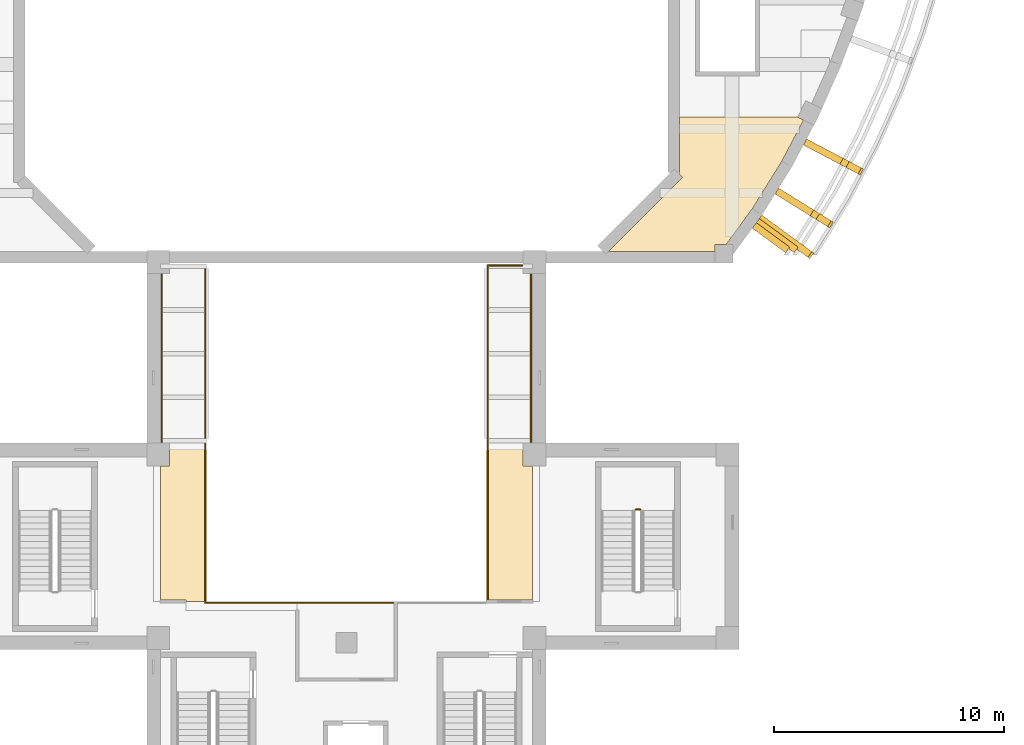
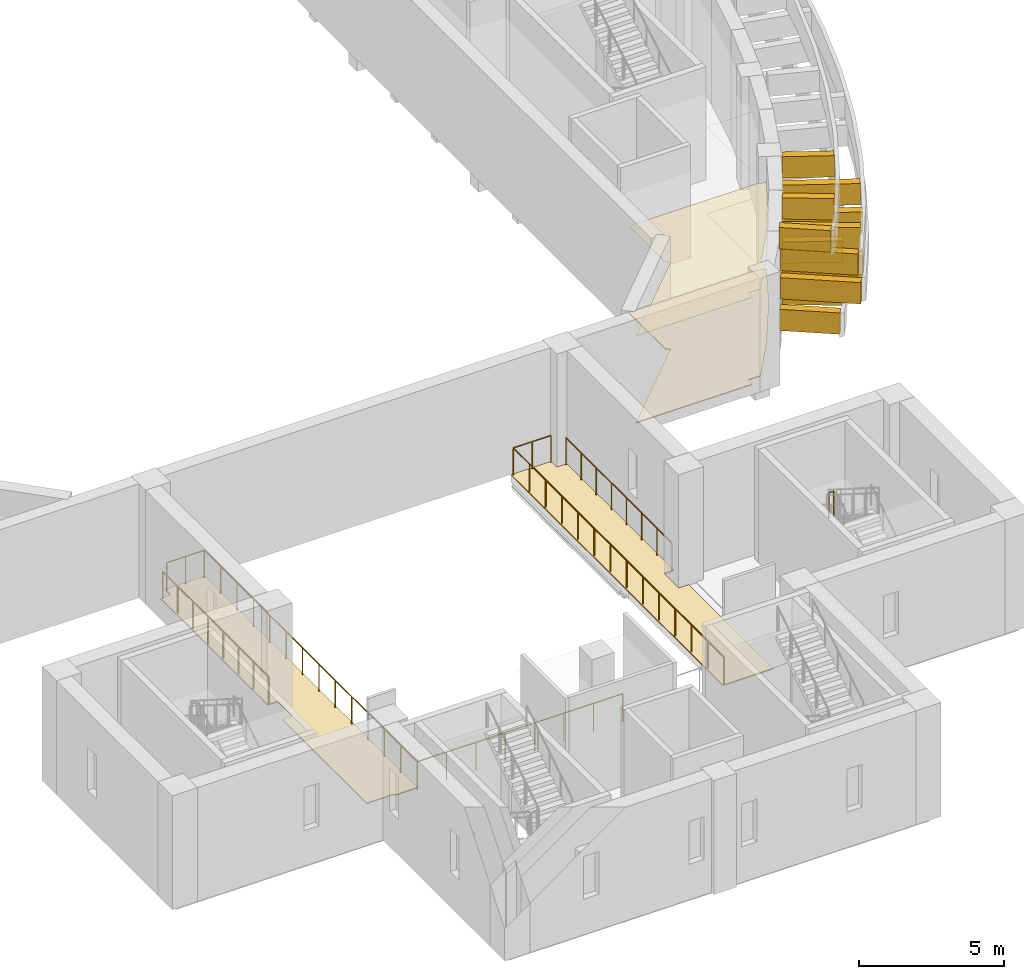
# One storey, part 23 of 37: 16 coverings, 5 railings.
"""IFC4 building model written with IfcOpenShell, lengths in metres."""

from ifc_helpers import new_model, si_unit, direction, frame, origin, origin_2d, place, context, subcontext, project, spatial, polyline, rectangle, circle, outline, extrude, material, layer, layer_set, type_object, element, save


model = new_model("IFC4")

# Units and contexts
model_context = context("Model", 3, precision=1e-05, world=origin(), true_north=direction((0.0, 1.0)))
body_context = subcontext(model_context, "Body", "Model", "MODEL_VIEW")
ifc_project = project(units=[si_unit("LENGTHUNIT", "METRE"), si_unit("AREAUNIT", "SQUARE_METRE"), si_unit("VOLUMEUNIT", "CUBIC_METRE"), si_unit("PLANEANGLEUNIT", "RADIAN"), si_unit("MASSUNIT", "GRAM", prefix="KILO")], contexts=[model_context])

# Site, building, storey
site_placement = place(None, origin())
site = spatial("IfcSite", under=ifc_project, at=site_placement, CompositionType="ELEMENT")
building_placement = place(site_placement, origin())
building = spatial("IfcBuilding", under=site, at=building_placement, Name="Larchfold Concert Hall", CompositionType="ELEMENT")
storey_placement = place(building_placement, frame((0.0, 0.0, 19.199951171875)))
storey = spatial("IfcBuildingStorey", under=building, at=storey_placement, Name="L04", CompositionType="ELEMENT", Elevation=19.199951171875)

# Coverings
ifc_material_1 = material(Name="Plasterboard ceiling lining")
ifc_layer_1 = layer(ifc_material_1, 0.030029296875)
ifc_layer_set_1 = layer_set([ifc_layer_1], Name="Plasterboard ceiling lining")
covering_type_1 = type_object("IfcCoveringType", Name="Ceiling suspended plasterboard 30", PredefinedType="CEILING", material=ifc_layer_set_1)
covering_1_placement = place(storey_placement, frame((0.0, 0.0, 3.670166015625)))
element("IfcCovering", 1, at=covering_1_placement, inside=storey, type_object=covering_type_1, Name="Ceiling Hall Foyer South East", PredefinedType="CEILING", context=body_context, shape_type="SweptSolid", body=[
    extrude(outline(polyline([(61.56884765625, 63.580078125), (62.516357421875, 65.376953125), (62.262451171875, 65.5), (57.10009765625, 65.5), (57.10009765625, 63.050048828125), (57.0859375, 63.035888671875), (57.23779296875, 62.884033203125), (54.003662109375, 59.64990234375), (58.647216796875, 59.64990234375), (58.647216796875, 59.94970703125), (59.139892578125, 59.94970703125), (60.286376953125, 61.515380859375), (61.56884765625, 63.580078125)])), origin(), (0.0, 0.0, 1.0), 0.030029296875),
])
ifc_material_2 = material(Name="Polished terrazzo")
ifc_layer_2 = layer(ifc_material_2, 0.0400390625)
ifc_layer_set_2 = layer_set([ifc_layer_2], Name="Polished terrazzo")
covering_type_2 = type_object("IfcCoveringType", Name="Floor finish terrazzo 40", PredefinedType="FLOORING", material=ifc_layer_set_2)
covering_2_placement = place(storey_placement, origin())
element("IfcCovering", 2, at=covering_2_placement, inside=storey, type_object=covering_type_2, Name="Floor finish Hall Foyer South East", PredefinedType="FLOORING", context=body_context, shape_type="SweptSolid", body=[
    extrude(outline(polyline([(61.56884765625, 63.580078125), (62.516357421875, 65.376953125), (62.262451171875, 65.5), (57.10009765625, 65.5), (57.10009765625, 63.050048828125), (57.0859375, 63.035888671875), (57.23779296875, 62.884033203125), (54.003662109375, 59.64990234375), (58.647216796875, 59.64990234375), (58.647216796875, 59.94970703125), (59.139892578125, 59.94970703125), (60.286376953125, 61.515380859375), (61.56884765625, 63.580078125)])), origin(), (0.0, 0.0, 1.0), 0.0400390625),
])
covering_3_placement = place(storey_placement, origin())
element("IfcCovering", 3, at=covering_3_placement, inside=storey, type_object=covering_type_2, Name="Floor finish Fly Gallery 01", PredefinedType="FLOORING", context=body_context, shape_type="SweptSolid", body=[
    extrude(outline(polyline([(35.60009765625, 44.39990234375), (36.5, 44.39990234375), (36.5, 59.10009765625), (34.89990234375, 59.10009765625), (34.89990234375, 58.699951171875), (34.5, 58.699951171875), (34.5, 51.300048828125), (34.89990234375, 51.300048828125), (34.89990234375, 50.300048828125), (34.5, 50.300048828125), (34.5, 44.46240234375), (35.60009765625, 44.46240234375), (35.60009765625, 44.39990234375)])), origin(), (0.0, 0.0, 1.0), 0.0400390625),
])
covering_4_placement = place(storey_placement, origin())
element("IfcCovering", 4, at=covering_4_placement, inside=storey, type_object=covering_type_2, Name="Floor finish Fly Gallery 02", PredefinedType="FLOORING", context=body_context, shape_type="SweptSolid", body=[
    extrude(outline(polyline([(48.699951171875, 59.10009765625), (48.699951171875, 44.46240234375), (50.699951171875, 44.46240234375), (50.699951171875, 50.300048828125), (50.300048828125, 50.300048828125), (50.300048828125, 51.300048828125), (50.699951171875, 51.300048828125), (50.699951171875, 58.699951171875), (50.300048828125, 58.699951171875), (50.300048828125, 59.10009765625), (48.699951171875, 59.10009765625)])), origin(), (0.0, 0.0, 1.0), 0.0400390625),
])

# Railings
ifc_material_3 = material(Name="Stainless steel balustrade", Category="steel")
railing_type_1 = type_object("IfcRailingType", Name="Fly tower guard 1200", PredefinedType="GUARDRAIL", material=ifc_material_3)
railing_1_placement = place(storey_placement, frame((48.760009765625, 44.50244140625, 0.0)))
element("IfcRailing", 5, at=railing_1_placement, inside=storey, type_object=railing_type_1, Name="Guard GR0066", PredefinedType="GUARDRAIL", context=body_context, shape_type="SweptSolid", body=[
    extrude(circle(Radius=0.02392578125, at=origin_2d()), frame((0.0, 0.0, 1.17578125), z_axis=(0.0, 1.0, 0.0), x_axis=(-1.0, 0.0, 0.0)), (0.0, 0.0, 1.0), 14.53759765625),
    extrude(circle(Radius=0.02392578125, at=origin_2d()), frame((0.0, 14.53759765625, 1.17578125), z_axis=(1.0, 0.0, 0.0), x_axis=(0.0, 1.0, 0.0)), (0.0, 0.0, 1.0), 1.5),
    extrude(circle(Radius=0.02099609375, at=origin_2d()), origin(), (0.0, 0.0, 1.0), 1.15185546875),
    extrude(circle(Radius=0.02099609375, at=origin_2d()), frame((0.0, 1.1181640625, 0.0)), (0.0, 0.0, 1.0), 1.15185546875),
    extrude(circle(Radius=0.02099609375, at=origin_2d()), frame((0.0, 2.236572265625, 0.0)), (0.0, 0.0, 1.0), 1.15185546875),
    extrude(circle(Radius=0.02099609375, at=origin_2d()), frame((0.0, 3.354736328125, 0.0)), (0.0, 0.0, 1.0), 1.15185546875),
    extrude(circle(Radius=0.02099609375, at=origin_2d()), frame((0.0, 4.47314453125, 0.0)), (0.0, 0.0, 1.0), 1.15185546875),
    extrude(circle(Radius=0.02099609375, at=origin_2d()), frame((0.0, 5.59130859375, 0.0)), (0.0, 0.0, 1.0), 1.15185546875),
    extrude(circle(Radius=0.02099609375, at=origin_2d()), frame((0.0, 6.709716796875, 0.0)), (0.0, 0.0, 1.0), 1.15185546875),
    extrude(circle(Radius=0.02099609375, at=origin_2d()), frame((0.0, 7.827880859375, 0.0)), (0.0, 0.0, 1.0), 1.15185546875),
    extrude(circle(Radius=0.02099609375, at=origin_2d()), frame((0.0, 8.9462890625, 0.0)), (0.0, 0.0, 1.0), 1.15185546875),
    extrude(circle(Radius=0.02099609375, at=origin_2d()), frame((0.0, 10.064453125, 0.0)), (0.0, 0.0, 1.0), 1.15185546875),
    extrude(circle(Radius=0.02099609375, at=origin_2d()), frame((0.0, 11.182861328125, 0.0)), (0.0, 0.0, 1.0), 1.15185546875),
    extrude(circle(Radius=0.02099609375, at=origin_2d()), frame((0.0, 12.301025390625, 0.0)), (0.0, 0.0, 1.0), 1.15185546875),
    extrude(circle(Radius=0.02099609375, at=origin_2d()), frame((0.0, 13.41943359375, 0.0)), (0.0, 0.0, 1.0), 1.15185546875),
    extrude(circle(Radius=0.02099609375, at=origin_2d()), frame((0.0, 14.53759765625, 0.0)), (0.0, 0.0, 1.0), 1.15185546875),
    extrude(circle(Radius=0.02099609375, at=origin_2d()), frame((0.75, 14.53759765625, 0.0)), (0.0, 0.0, 1.0), 1.15185546875),
    extrude(circle(Radius=0.02099609375, at=origin_2d()), frame((1.5, 14.53759765625, 0.0)), (0.0, 0.0, 1.0), 1.15185546875),
])
railing_2_placement = place(storey_placement, frame((50.639892578125, 58.659912109375, 0.0)))
element("IfcRailing", 6, at=railing_2_placement, inside=storey, type_object=railing_type_1, Name="Guard GR0067", PredefinedType="GUARDRAIL", context=body_context, shape_type="SweptSolid", body=[
    extrude(circle(Radius=0.02392578125, at=origin_2d()), frame((0.0, 0.0, 1.17578125), z_axis=(0.0, -1.0, 0.0), x_axis=(1.0, 0.0, 0.0)), (0.0, 0.0, 1.0), 7.31982421875),
    extrude(circle(Radius=0.02099609375, at=origin_2d()), origin(), (0.0, 0.0, 1.0), 1.15185546875),
    extrude(circle(Radius=0.02099609375, at=origin_2d()), frame((0.0, -1.045654296875, 0.0)), (0.0, 0.0, 1.0), 1.15185546875),
    extrude(circle(Radius=0.02099609375, at=origin_2d()), frame((0.0, -2.09130859375, 0.0)), (0.0, 0.0, 1.0), 1.15185546875),
    extrude(circle(Radius=0.02099609375, at=origin_2d()), frame((0.0, -3.136962890625, 0.0)), (0.0, 0.0, 1.0), 1.15185546875),
    extrude(circle(Radius=0.02099609375, at=origin_2d()), frame((0.0, -4.182861328125, 0.0)), (0.0, 0.0, 1.0), 1.15185546875),
    extrude(circle(Radius=0.02099609375, at=origin_2d()), frame((0.0, -5.228515625, 0.0)), (0.0, 0.0, 1.0), 1.15185546875),
    extrude(circle(Radius=0.02099609375, at=origin_2d()), frame((0.0, -6.274169921875, 0.0)), (0.0, 0.0, 1.0), 1.15185546875),
    extrude(circle(Radius=0.02099609375, at=origin_2d()), frame((0.0, -7.31982421875, 0.0)), (0.0, 0.0, 1.0), 1.15185546875),
])
railing_3_placement = place(storey_placement, frame((34.56005859375, 51.340087890625, 0.0)))
element("IfcRailing", 7, at=railing_3_placement, inside=storey, type_object=railing_type_1, Name="Guard GR0068", PredefinedType="GUARDRAIL", context=body_context, shape_type="SweptSolid", body=[
    extrude(circle(Radius=0.02392578125, at=origin_2d()), frame((0.0, 0.0, 1.17578125), z_axis=(0.0, 1.0, 0.0), x_axis=(-1.0, 0.0, 0.0)), (0.0, 0.0, 1.0), 7.31982421875),
    extrude(circle(Radius=0.02099609375, at=origin_2d()), origin(), (0.0, 0.0, 1.0), 1.15185546875),
    extrude(circle(Radius=0.02099609375, at=origin_2d()), frame((0.0, 1.045654296875, 0.0)), (0.0, 0.0, 1.0), 1.15185546875),
    extrude(circle(Radius=0.02099609375, at=origin_2d()), frame((0.0, 2.09130859375, 0.0)), (0.0, 0.0, 1.0), 1.15185546875),
    extrude(circle(Radius=0.02099609375, at=origin_2d()), frame((0.0, 3.136962890625, 0.0)), (0.0, 0.0, 1.0), 1.15185546875),
    extrude(circle(Radius=0.02099609375, at=origin_2d()), frame((0.0, 4.182861328125, 0.0)), (0.0, 0.0, 1.0), 1.15185546875),
    extrude(circle(Radius=0.02099609375, at=origin_2d()), frame((0.0, 5.228515625, 0.0)), (0.0, 0.0, 1.0), 1.15185546875),
    extrude(circle(Radius=0.02099609375, at=origin_2d()), frame((0.0, 6.274169921875, 0.0)), (0.0, 0.0, 1.0), 1.15185546875),
    extrude(circle(Radius=0.02099609375, at=origin_2d()), frame((0.0, 7.31982421875, 0.0)), (0.0, 0.0, 1.0), 1.15185546875),
])
railing_4_placement = place(storey_placement, frame((34.93994140625, 59.0400390625, 0.0)))
element("IfcRailing", 8, at=railing_4_placement, inside=storey, type_object=railing_type_1, Name="Guard GR0069", PredefinedType="GUARDRAIL", context=body_context, shape_type="SweptSolid", body=[
    extrude(circle(Radius=0.02392578125, at=origin_2d()), frame((0.0, 0.0, 1.17578125), z_axis=(1.0, 0.0, 0.0), x_axis=(0.0, 1.0, 0.0)), (0.0, 0.0, 1.0), 1.5),
    extrude(circle(Radius=0.02392578125, at=origin_2d()), frame((1.5, 0.0, 1.17578125), z_axis=(0.0, -1.0, 0.0), x_axis=(1.0, 0.0, 0.0)), (0.0, 0.0, 1.0), 14.7001953125),
    extrude(circle(Radius=0.02392578125, at=origin_2d()), frame((1.5, -14.7001953125, 1.17578125), z_axis=(1.0, 0.0, 0.0), x_axis=(0.0, 1.0, 0.0)), (0.0, 0.0, 1.0), 8.195068359375),
    extrude(circle(Radius=0.02099609375, at=origin_2d()), origin(), (0.0, 0.0, 1.0), 1.15185546875),
    extrude(circle(Radius=0.02099609375, at=origin_2d()), frame((0.75, 0.0, 0.0)), (0.0, 0.0, 1.0), 1.15185546875),
    extrude(circle(Radius=0.02099609375, at=origin_2d()), frame((1.5, 0.0, 0.0)), (0.0, 0.0, 1.0), 1.15185546875),
    extrude(circle(Radius=0.02099609375, at=origin_2d()), frame((1.5, -1.130859375, 0.0)), (0.0, 0.0, 1.0), 1.15185546875),
    extrude(circle(Radius=0.02099609375, at=origin_2d()), frame((1.5, -2.261474609375, 0.0)), (0.0, 0.0, 1.0), 1.15185546875),
    extrude(circle(Radius=0.02099609375, at=origin_2d()), frame((1.5, -3.392333984375, 0.0)), (0.0, 0.0, 1.0), 1.15185546875),
    extrude(circle(Radius=0.02099609375, at=origin_2d()), frame((1.5, -4.523193359375, 0.0)), (0.0, 0.0, 1.0), 1.15185546875),
    extrude(circle(Radius=0.02099609375, at=origin_2d()), frame((1.5, -5.65380859375, 0.0)), (0.0, 0.0, 1.0), 1.15185546875),
    extrude(circle(Radius=0.02099609375, at=origin_2d()), frame((1.5, -6.78466796875, 0.0)), (0.0, 0.0, 1.0), 1.15185546875),
    extrude(circle(Radius=0.02099609375, at=origin_2d()), frame((1.5, -7.91552734375, 0.0)), (0.0, 0.0, 1.0), 1.15185546875),
    extrude(circle(Radius=0.02099609375, at=origin_2d()), frame((1.5, -9.04638671875, 0.0)), (0.0, 0.0, 1.0), 1.15185546875),
    extrude(circle(Radius=0.02099609375, at=origin_2d()), frame((1.5, -10.177001953125, 0.0)), (0.0, 0.0, 1.0), 1.15185546875),
    extrude(circle(Radius=0.02099609375, at=origin_2d()), frame((1.5, -11.307861328125, 0.0)), (0.0, 0.0, 1.0), 1.15185546875),
    extrude(circle(Radius=0.02099609375, at=origin_2d()), frame((1.5, -12.438720703125, 0.0)), (0.0, 0.0, 1.0), 1.15185546875),
    extrude(circle(Radius=0.02099609375, at=origin_2d()), frame((1.5, -13.5693359375, 0.0)), (0.0, 0.0, 1.0), 1.15185546875),
    extrude(circle(Radius=0.02099609375, at=origin_2d()), frame((1.5, -14.7001953125, 0.0)), (0.0, 0.0, 1.0), 1.15185546875),
    extrude(circle(Radius=0.02099609375, at=origin_2d()), frame((2.670654296875, -14.7001953125, 0.0)), (0.0, 0.0, 1.0), 1.15185546875),
    extrude(circle(Radius=0.02099609375, at=origin_2d()), frame((3.841552734375, -14.7001953125, 0.0)), (0.0, 0.0, 1.0), 1.15185546875),
    extrude(circle(Radius=0.02099609375, at=origin_2d()), frame((5.01220703125, -14.7001953125, 0.0)), (0.0, 0.0, 1.0), 1.15185546875),
    extrude(circle(Radius=0.02099609375, at=origin_2d()), frame((6.182861328125, -14.7001953125, 0.0)), (0.0, 0.0, 1.0), 1.15185546875),
    extrude(circle(Radius=0.02099609375, at=origin_2d()), frame((7.353515625, -14.7001953125, 0.0)), (0.0, 0.0, 1.0), 1.15185546875),
    extrude(circle(Radius=0.02099609375, at=origin_2d()), frame((8.5244140625, -14.7001953125, 0.0)), (0.0, 0.0, 1.0), 1.15185546875),
    extrude(circle(Radius=0.02099609375, at=origin_2d()), frame((9.695068359375, -14.7001953125, 0.0)), (0.0, 0.0, 1.0), 1.15185546875),
])

# Coverings
ifc_material_4 = material(Name="Galvanised steel bracket", Category="steel")
ifc_layer_3 = layer(ifc_material_4, 0.300048828125)
ifc_layer_set_3 = layer_set([ifc_layer_3], Name="Galvanised steel bracket")
covering_type_3 = type_object("IfcCoveringType", Name="Ring support bracket", PredefinedType="CLADDING", material=ifc_layer_set_3)
for number, where, z_axis, x_axis, name in (
    (9, (61.347412109375, 60.34130859375, 0.9501953125), (0.0, 0.0, 1.0), (0.80684915404, -0.590757515927, 0.0), "Ring bracket BR-R08-27"),
    (10, (62.243896484375, 61.729248046875, 0.9501953125), (0.0, 0.0, 1.0), (0.849390839977, -0.527764342263, 0.0), "Ring bracket BR-R08-28"),
    (11, (63.5068359375, 63.931884765625, 0.9501953125), (0.0, 0.0, 1.0), (0.884535681061, -0.466472538238, 0.0), "Ring bracket BR-R08-29"),
):
    element("IfcCovering", number, at=place(storey_placement, frame(where, z_axis=z_axis, x_axis=x_axis)), inside=storey, type_object=covering_type_3, Name=name, PredefinedType="CLADDING", context=body_context, shape_type="SweptSolid", body=[
        extrude(rectangle(XDim=2.10009765625, YDim=0.300048828125, at=origin_2d()), origin(), (0.0, 0.0, 1.0), 0.89990234375),
    ])
for number, where, z_axis, x_axis, name in (
    (12, (61.741943359375, 60.28759765625, 2.150146484375), (0.0, 0.0, 1.0), (0.80684915404, -0.590757515927, 0.0), "Ring bracket BR-R09-27"),
    (13, (62.541015625, 61.54443359375, 2.150146484375), (0.0, 0.0, 1.0), (0.849390839977, -0.527764342263, 0.0), "Ring bracket BR-R09-28"),
    (14, (63.81640625, 63.768798828125, 2.150146484375), (0.0, 0.0, 1.0), (0.884535681061, -0.466472538238, 0.0), "Ring bracket BR-R09-29"),
):
    element("IfcCovering", number, at=place(storey_placement, frame(where, z_axis=z_axis, x_axis=x_axis)), inside=storey, type_object=covering_type_3, Name=name, PredefinedType="CLADDING", context=body_context, shape_type="SweptSolid", body=[
        extrude(rectangle(XDim=2.800048828125, YDim=0.300048828125, at=origin_2d()), origin(), (0.0, 0.0, 1.0), 0.89990234375),
    ])
for number, where, z_axis, x_axis, name in (
    (15, (61.70166015625, 60.317138671875, 3.35009765625), (0.0, 0.0, 1.0), (0.80684915404, -0.590757515927, 0.0), "Ring bracket BR-R10-27"),
    (16, (62.49853515625, 61.57080078125, 3.35009765625), (0.0, 0.0, 1.0), (0.849390839977, -0.527764342263, 0.0), "Ring bracket BR-R10-28"),
    (17, (63.772216796875, 63.7919921875, 3.35009765625), (0.0, 0.0, 1.0), (0.884535681061, -0.466472538238, 0.0), "Ring bracket BR-R10-29"),
):
    element("IfcCovering", number, at=place(storey_placement, frame(where, z_axis=z_axis, x_axis=x_axis)), inside=storey, type_object=covering_type_3, Name=name, PredefinedType="CLADDING", context=body_context, shape_type="SweptSolid", body=[
        extrude(rectangle(XDim=2.699951171875, YDim=0.300048828125, at=origin_2d()), origin(), (0.0, 0.0, 1.0), 0.89990234375),
    ])
for number, where, z_axis, x_axis, name in (
    (18, (61.0966796875, 60.252685546875, 4.550048828125), (0.0, 0.0, 1.0), (0.80684915404, -0.590757515927, 0.0), "Ring bracket BR-R11-27"),
    (19, (62.116455078125, 61.808349609375, 4.550048828125), (0.0, 0.0, 1.0), (0.849390839977, -0.527764342263, 0.0), "Ring bracket BR-R11-28"),
    (20, (63.374267578125, 64.001953125, 4.550048828125), (0.0, 0.0, 1.0), (0.884535681061, -0.466472538238, 0.0), "Ring bracket BR-R11-29"),
):
    element("IfcCovering", number, at=place(storey_placement, frame(where, z_axis=z_axis, x_axis=x_axis)), inside=storey, type_object=covering_type_3, Name=name, PredefinedType="CLADDING", context=body_context, shape_type="SweptSolid", body=[
        extrude(rectangle(XDim=1.800048828125, YDim=0.300048828125, at=origin_2d()), origin(), (0.0, 0.0, 1.0), 0.89990234375),
    ])

# Railing
ifc_material_5 = material(Name="Stainless steel balustrade", Category="steel")
railing_type_2 = type_object("IfcRailingType", Name="Stair guard 1100", PredefinedType="GUARDRAIL", material=ifc_material_5)
railing_5_placement = place(storey_placement, frame((55.39990234375, 48.41015625, 2.400146484375)))
element("IfcRailing", 21, at=railing_5_placement, inside=storey, type_object=railing_type_2, Name="Guard GR0040", PredefinedType="GUARDRAIL", context=body_context, shape_type="SweptSolid", body=[
    extrude(circle(Radius=0.02392578125, at=origin_2d()), frame((0.0, 0.0, 1.076171875), z_axis=(-1.0, 0.0, 0.0), x_axis=(0.0, -1.0, 0.0)), (0.0, 0.0, 1.0), 0.199951171875),
    extrude(circle(Radius=0.02099609375, at=origin_2d()), origin(), (0.0, 0.0, 1.0), 1.052001953125),
    extrude(circle(Radius=0.02099609375, at=origin_2d()), frame((-0.199951171875, 0.0, 0.0)), (0.0, 0.0, 1.0), 1.052001953125),
])

save(model, "model.ifc")
